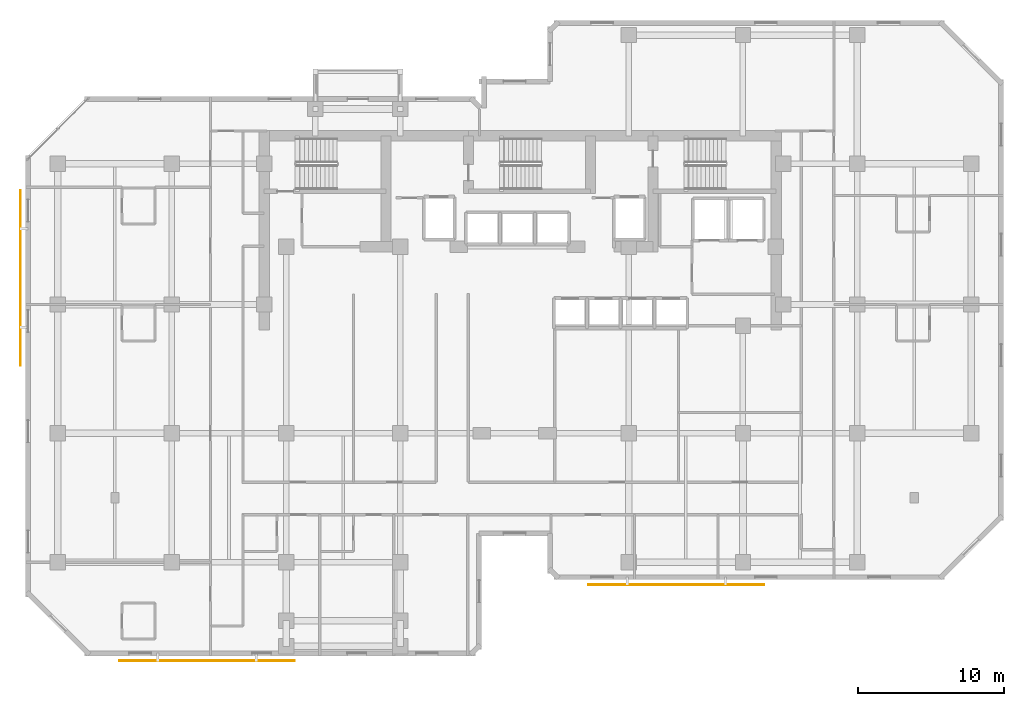
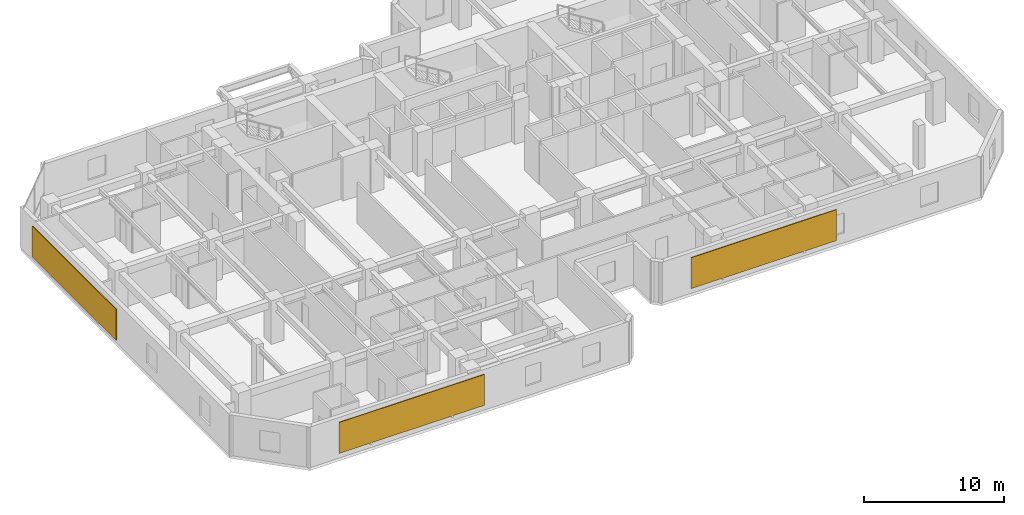
# One storey, part 9 of 10: 3 shading devices.
"""IFC4 building model written with IfcOpenShell, lengths in metres."""

from ifc_helpers import new_model, si_unit, direction, frame, origin, origin_2d, place, context, subcontext, project, spatial, rectangle, extrude, material, layer, layer_set, type_object, element, save


model = new_model("IFC4")

# Units and contexts
model_context = context("Model", 3, precision=1e-05, world=origin(), true_north=direction((0.0, 1.0)))
body_context = subcontext(model_context, "Body", "Model", "MODEL_VIEW")
ifc_project = project(units=[si_unit("LENGTHUNIT", "METRE"), si_unit("AREAUNIT", "SQUARE_METRE"), si_unit("VOLUMEUNIT", "CUBIC_METRE"), si_unit("PLANEANGLEUNIT", "RADIAN"), si_unit("MASSUNIT", "GRAM", prefix="KILO")], contexts=[model_context])

# Site, building, storey
site_placement = place(None, origin())
site = spatial("IfcSite", under=ifc_project, at=site_placement, CompositionType="ELEMENT")
building_placement = place(site_placement, origin())
building = spatial("IfcBuilding", under=site, at=building_placement, Name="Kestravale Grand Hotel", CompositionType="ELEMENT")
storey_placement = place(building_placement, frame((0.0, 0.0, 142.199951171875)))
storey = spatial("IfcBuildingStorey", under=building, at=storey_placement, Name="L35", CompositionType="ELEMENT", Elevation=142.199951171875)

# Shading devices
ifc_material = material(Name="Perforated champagne-bronze aluminium and ceramic solar screen", Category="aluminium")
ifc_layer = layer(ifc_material, 0.06494140625)
ifc_layer_set = layer_set([ifc_layer], Name="SHD-SCR-CHEV")
shading_device_type = type_object("IfcShadingDeviceType", Name="SHD-SCR-CHEV", PredefinedType="USERDEFINED", material=ifc_layer_set)
for number, where, z_axis, x_axis, name in (
    (1, (18.0, 4.4599609375, 0.7001953125), (0.0, 0.0, 1.0), (1.0, 0.0, 0.0), "L35 Perforated bronze ceramic chevron solar screen SCR-L35-01"),
    (2, (50.050048828125, 9.659912109375, 0.7001953125), (0.0, 0.0, 1.0), (1.0, 0.0, 0.0), "L35 Perforated bronze ceramic chevron solar screen SCR-L35-07"),
    (3, (5.260009765625, 30.60009765625, 0.7001953125), (0.0, 0.0, 1.0), (0.0, -1.0, 0.0), "L35 Perforated bronze ceramic chevron solar screen SCR-L35-19"),
):
    element("IfcShadingDevice", number, at=place(storey_placement, frame(where, z_axis=z_axis, x_axis=x_axis)), inside=storey, type_object=shading_device_type, Name=name, ObjectType="SCREEN", PredefinedType="USERDEFINED", context=body_context, shape_type="SweptSolid", body=[
        extrude(rectangle(XDim=12.0, YDim=0.06494140625, at=origin_2d()), origin(), (0.0, 0.0, 1.0), 2.699951171875),
    ])

save(model, "model.ifc")
